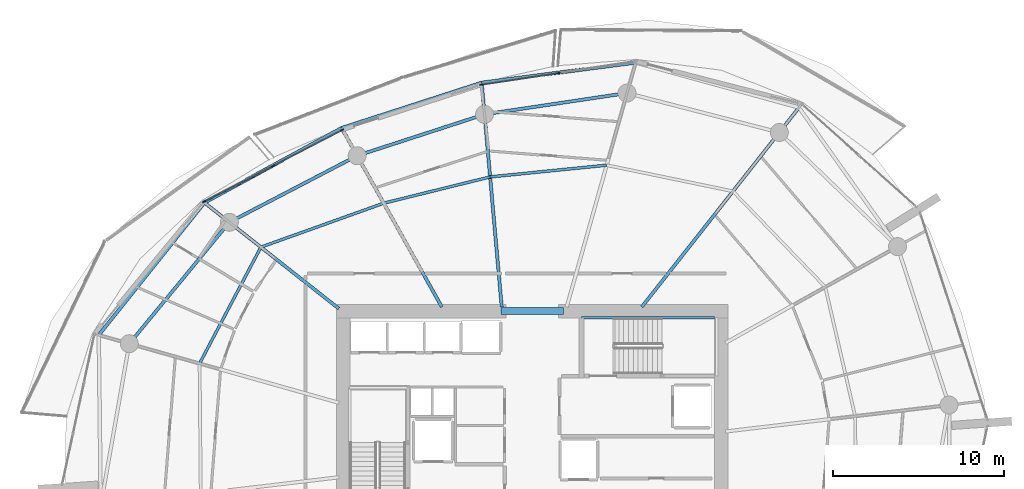
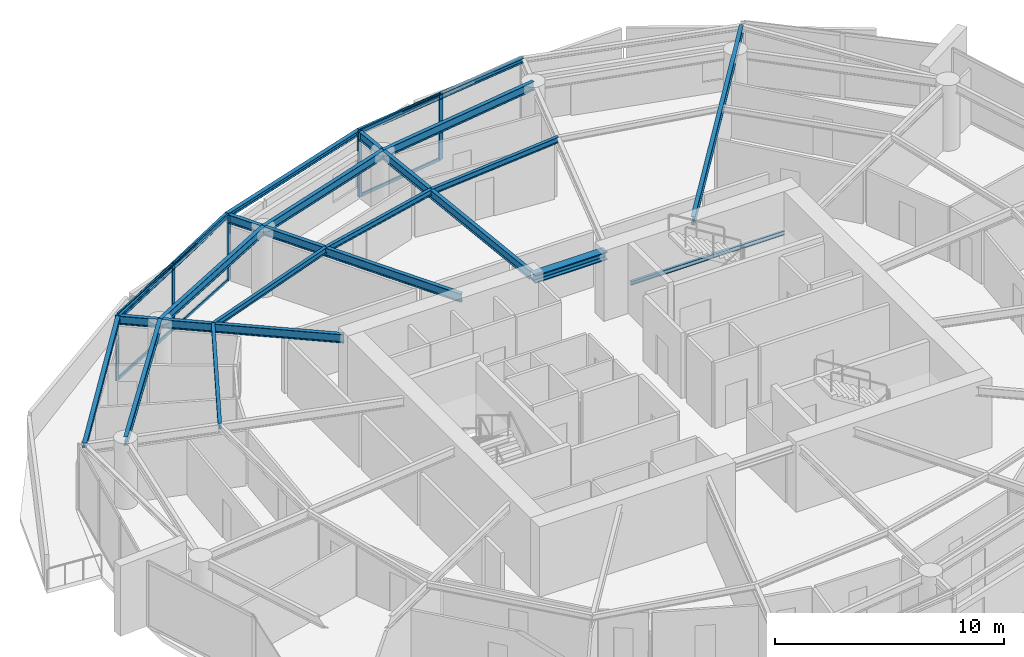
# One storey, part 8 of 20: 18 beams, 11 members, 2 elements without a shape of their own.
"""IFC4 building model written with IfcOpenShell, lengths in metres."""

from ifc_helpers import new_model, si_unit, direction, frame, origin, origin_2d, place, context, subcontext, project, spatial, rectangle, i_section, extrude, material, layer, layer_set, material_profile, profile_set, type_object, element, aggregate, save


model = new_model("IFC4")

# Units and contexts
model_context = context("Model", 3, precision=1e-05, world=origin(), true_north=direction((0.0, 1.0)))
body_context = subcontext(model_context, "Body", "Model", "MODEL_VIEW")
ifc_project = project(units=[si_unit("LENGTHUNIT", "METRE"), si_unit("AREAUNIT", "SQUARE_METRE"), si_unit("VOLUMEUNIT", "CUBIC_METRE"), si_unit("PLANEANGLEUNIT", "RADIAN"), si_unit("MASSUNIT", "GRAM", prefix="KILO")], contexts=[model_context])

# Site, building, storey
site_placement = place(None, origin())
site = spatial("IfcSite", under=ifc_project, at=site_placement, CompositionType="ELEMENT")
building_placement = place(site_placement, origin())
building = spatial("IfcBuilding", under=site, at=building_placement, Name="Kazma Halo Residences", CompositionType="ELEMENT")
storey_placement = place(building_placement, frame((0.0, 0.0, 165.300048828125)))
storey = spatial("IfcBuildingStorey", under=building, at=storey_placement, Name="L41", CompositionType="ELEMENT", Elevation=165.300048828125)

# Beams
ifc_material_1 = material(Name="Steel S355", Category="steel")
ifc_material_profile_1 = material_profile(ifc_material_1, i_section(OverallWidth=0.201904296875, OverallDepth=0.2470703125, WebThickness=0.00732421875, FlangeThickness=0.010986328125, FilletRadius=0.011962890625, at=origin_2d()), Name="W250x49.1")
ifc_profile_set_1 = profile_set([ifc_material_profile_1], Name="Steel S355")
beam_type_1 = type_object("IfcBeamType", Name="BM-BAL-CANT", PredefinedType="BEAM", material=ifc_profile_set_1)
beam_1_placement = place(storey_placement, frame((54.459228515625, 64.90234375, 3.37646484375), z_axis=(-0.991489228614, -0.130188745839, 0.0), x_axis=(0.130188745839, -0.991489228614, 0.0)))
element("IfcBeam", 1, at=beam_1_placement, inside=storey, type_object=beam_type_1, Name="L41 wave-balcony tie beam 03", PredefinedType="BEAM", context=body_context, shape_type="SweptSolid", body=[
    extrude(i_section(OverallWidth=0.201904296875, OverallDepth=0.2470703125, WebThickness=0.00732421875, FlangeThickness=0.010986328125, FilletRadius=0.011962890625, at=origin_2d()), origin(), (0.0, 0.0, 1.0), 9.053955078125),
])
beam_2_placement = place(storey_placement, frame((45.482421875, 63.7236328125, 3.37646484375), z_axis=(-0.951458235255, -0.307777885115, 0.0), x_axis=(0.307777885115, -0.951458235255, 0.0)))
element("IfcBeam", 2, at=beam_2_placement, inside=storey, type_object=beam_type_1, Name="L41 wave-balcony tie beam 04", PredefinedType="BEAM", context=body_context, shape_type="SweptSolid", body=[
    extrude(i_section(OverallWidth=0.201904296875, OverallDepth=0.2470703125, WebThickness=0.00732421875, FlangeThickness=0.010986328125, FilletRadius=0.011962890625, at=origin_2d()), origin(), (0.0, 0.0, 1.0), 8.585205078125),
])
beam_3_placement = place(storey_placement, frame((37.31396484375, 61.081298828125, 3.37646484375), z_axis=(-0.878572913315, -0.477608245312, 0.0), x_axis=(0.477608245312, -0.878572913315, 0.0)))
element("IfcBeam", 3, at=beam_3_placement, inside=storey, type_object=beam_type_1, Name="L41 wave-balcony tie beam 05", PredefinedType="BEAM", context=body_context, shape_type="SweptSolid", body=[
    extrude(i_section(OverallWidth=0.201904296875, OverallDepth=0.2470703125, WebThickness=0.00732421875, FlangeThickness=0.010986328125, FilletRadius=0.011962890625, at=origin_2d()), origin(), (0.0, 0.0, 1.0), 9.107177734375),
])
beam_4_placement = place(storey_placement, frame((29.312744140625, 56.731689453125, 3.37646484375), z_axis=(-0.623742400336, -0.781629975131, 0.0), x_axis=(0.781629975131, -0.623742400336, 0.0)))
element("IfcBeam", 4, at=beam_4_placement, inside=storey, type_object=beam_type_1, Name="L41 wave-balcony tie beam 06", PredefinedType="BEAM", context=body_context, shape_type="SweptSolid", body=[
    extrude(i_section(OverallWidth=0.201904296875, OverallDepth=0.2470703125, WebThickness=0.00732421875, FlangeThickness=0.010986328125, FilletRadius=0.011962890625, at=origin_2d()), origin(), (0.0, 0.0, 1.0), 9.880859375),
])
ifc_material_profile_2 = material_profile(ifc_material_1, i_section(OverallWidth=0.408935546875, OverallDepth=0.425048828125, WebThickness=0.03271484375, FlangeThickness=0.052490234375, FilletRadius=0.02001953125, at=origin_2d()), Name="W360x421")
ifc_profile_set_2 = profile_set([ifc_material_profile_2], Name="Steel S355")
beam_type_2 = type_object("IfcBeamType", Name="BM-CORE-W360H", PredefinedType="BEAM", material=ifc_profile_set_2)
beam_5_placement = place(storey_placement, frame((46.60009765625, 50.39990234375, 3.287353515625), z_axis=(1.0, 0.0, 0.0), x_axis=(0.0, 1.0, 0.0)))
element("IfcBeam", 5, at=beam_5_placement, inside=storey, type_object=beam_type_2, Name="L41 core coupling beam N", PredefinedType="BEAM", context=body_context, shape_type="SweptSolid", body=[
    extrude(i_section(OverallWidth=0.408935546875, OverallDepth=0.425048828125, WebThickness=0.03271484375, FlangeThickness=0.052490234375, FilletRadius=0.02001953125, at=origin_2d()), origin(), (0.0, 0.0, 1.0), 3.64990234375),
])
ifc_material_profile_3 = material_profile(ifc_material_1, i_section(OverallWidth=0.18994140625, OverallDepth=0.45703125, WebThickness=0.009033203125, FlangeThickness=0.014404296875, FilletRadius=0.01611328125, at=origin_2d()), Name="W460x74")
ifc_profile_set_3 = profile_set([ifc_material_profile_3], Name="Steel S355")
beam_type_3 = type_object("IfcBeamType", Name="BM-RAD-W460", PredefinedType="BEAM", material=ifc_profile_set_3)
beam_6_placement = place(storey_placement, frame((54.819091796875, 50.64990234375, 3.271484375), z_axis=(0.619094498239, 0.785316498139, 0.0), x_axis=(-0.785316498139, 0.619094498239, 0.0)))
element("IfcBeam", 6, at=beam_6_placement, inside=storey, type_object=beam_type_3, Name="L41 radial floor beam 02", PredefinedType="BEAM", context=body_context, shape_type="SweptSolid", body=[
    extrude(i_section(OverallWidth=0.18994140625, OverallDepth=0.45703125, WebThickness=0.009033203125, FlangeThickness=0.014404296875, FilletRadius=0.01611328125, at=origin_2d()), origin(), (0.0, 0.0, 1.0), 14.80517578125),
])
beam_7_placement = place(storey_placement, frame((46.64990234375, 50.64990234375, 3.271484375), z_axis=(-0.088945777727, 0.996036469525, 0.0), x_axis=(-0.996036469525, -0.088945777727, 0.0)))
element("IfcBeam", 7, at=beam_7_placement, inside=storey, type_object=beam_type_3, Name="L41 radial floor beam 04", PredefinedType="BEAM", context=body_context, shape_type="SweptSolid", body=[
    extrude(i_section(OverallWidth=0.18994140625, OverallDepth=0.45703125, WebThickness=0.009033203125, FlangeThickness=0.014404296875, FilletRadius=0.01611328125, at=origin_2d()), origin(), (0.0, 0.0, 1.0), 13.125732421875),
])
beam_8_placement = place(storey_placement, frame((43.15576171875, 50.64990234375, 3.271484375), z_axis=(-0.488617048735, 0.872498355119, 0.0), x_axis=(-0.872498355119, -0.488617048735, 0.0)))
element("IfcBeam", 8, at=beam_8_placement, inside=storey, type_object=beam_type_3, Name="L41 radial floor beam 05", PredefinedType="BEAM", context=body_context, shape_type="SweptSolid", body=[
    extrude(i_section(OverallWidth=0.18994140625, OverallDepth=0.45703125, WebThickness=0.009033203125, FlangeThickness=0.014404296875, FilletRadius=0.01611328125, at=origin_2d()), origin(), (0.0, 0.0, 1.0), 11.955810546875),
])
beam_9_placement = place(storey_placement, frame((37.14990234375, 50.553466796875, 3.271484375), z_axis=(-0.785321544409, 0.619088097032, 0.0), x_axis=(-0.619088097032, -0.785321544409, 0.0)))
element("IfcBeam", 9, at=beam_9_placement, inside=storey, type_object=beam_type_3, Name="L41 radial floor beam 06", PredefinedType="BEAM", context=body_context, shape_type="SweptSolid", body=[
    extrude(i_section(OverallWidth=0.18994140625, OverallDepth=0.45703125, WebThickness=0.009033203125, FlangeThickness=0.014404296875, FilletRadius=0.01611328125, at=origin_2d()), origin(), (0.0, 0.0, 1.0), 9.9794921875),
])
ifc_material_profile_4 = material_profile(ifc_material_1, i_section(OverallWidth=0.1650390625, OverallDepth=0.31005859375, WebThickness=0.005859375, FlangeThickness=0.009765625, FilletRadius=0.011962890625, at=origin_2d()), Name="W310x38.7")
ifc_profile_set_4 = profile_set([ifc_material_profile_4], Name="Steel S355")
beam_type_4 = type_object("IfcBeamType", Name="BM-SEC-W310B", PredefinedType="JOIST", material=ifc_profile_set_4)
beam_10_placement = place(storey_placement, frame((52.77099609375, 58.91650390625, 3.344970703125), z_axis=(-0.994979001613, -0.100083896557, 0.0), x_axis=(0.100083896557, -0.994979001613, 0.0)))
element("IfcBeam", 10, at=beam_10_placement, inside=storey, type_object=beam_type_4, Name="L41 circumferential floor joist 03", PredefinedType="JOIST", context=body_context, shape_type="SweptSolid", body=[
    extrude(i_section(OverallWidth=0.1650390625, OverallDepth=0.31005859375, WebThickness=0.005859375, FlangeThickness=0.009765625, FilletRadius=0.011962890625, at=origin_2d()), origin(), (0.0, 0.0, 1.0), 6.832763671875),
])
beam_11_placement = place(storey_placement, frame((45.97265625, 58.232666015625, 3.344970703125), z_axis=(-0.970830601663, -0.239766434004, 0.0), x_axis=(0.239766434004, -0.970830601663, 0.0)))
element("IfcBeam", 11, at=beam_11_placement, inside=storey, type_object=beam_type_4, Name="L41 circumferential floor joist 04", PredefinedType="JOIST", context=body_context, shape_type="SweptSolid", body=[
    extrude(i_section(OverallWidth=0.1650390625, OverallDepth=0.31005859375, WebThickness=0.005859375, FlangeThickness=0.009765625, FilletRadius=0.011962890625, at=origin_2d()), origin(), (0.0, 0.0, 1.0), 6.3916015625),
])
beam_12_placement = place(storey_placement, frame((39.767578125, 56.7001953125, 3.344970703125), z_axis=(-0.941534087973, -0.336917736525, 0.0), x_axis=(0.336917736525, -0.941534087973, 0.0)))
element("IfcBeam", 12, at=beam_12_placement, inside=storey, type_object=beam_type_4, Name="L41 circumferential floor joist 05", PredefinedType="JOIST", context=body_context, shape_type="SweptSolid", body=[
    extrude(i_section(OverallWidth=0.1650390625, OverallDepth=0.31005859375, WebThickness=0.005859375, FlangeThickness=0.009765625, FilletRadius=0.011962890625, at=origin_2d()), origin(), (0.0, 0.0, 1.0), 7.60791015625),
])
beam_13_placement = place(storey_placement, frame((32.6044921875, 54.136962890625, 3.344970703125), z_axis=(-0.466019257875, -0.884774576539, 0.0), x_axis=(0.884774576539, -0.466019257875, 0.0)))
element("IfcBeam", 13, at=beam_13_placement, inside=storey, type_object=beam_type_4, Name="L41 circumferential floor joist 06", PredefinedType="JOIST", context=body_context, shape_type="SweptSolid", body=[
    extrude(i_section(OverallWidth=0.1650390625, OverallDepth=0.31005859375, WebThickness=0.005859375, FlangeThickness=0.009765625, FilletRadius=0.011962890625, at=origin_2d()), origin(), (0.0, 0.0, 1.0), 7.670654296875),
])
ifc_material_profile_5 = material_profile(ifc_material_1, i_section(OverallWidth=0.18994140625, OverallDepth=0.45703125, WebThickness=0.009033203125, FlangeThickness=0.014404296875, FilletRadius=0.01611328125, at=origin_2d()), Name="W460x74")
ifc_profile_set_5 = profile_set([ifc_material_profile_5], Name="Steel S355")
beam_type_5 = type_object("IfcBeamType", Name="BM-SPN-W460", PredefinedType="BEAM", material=ifc_profile_set_5)
beam_14_placement = place(storey_placement, frame((53.95703125, 63.121826171875, 3.271484375), z_axis=(-0.989037147603, -0.147666924735, 0.0), x_axis=(0.147666924735, -0.989037147603, 0.0)))
element("IfcBeam", 14, at=beam_14_placement, inside=storey, type_object=beam_type_5, Name="L41 perimeter ring beam 03", PredefinedType="BEAM", context=body_context, shape_type="SweptSolid", body=[
    extrude(i_section(OverallWidth=0.18994140625, OverallDepth=0.45703125, WebThickness=0.009033203125, FlangeThickness=0.014404296875, FilletRadius=0.01611328125, at=origin_2d()), origin(), (0.0, 0.0, 1.0), 8.402099609375),
])
beam_15_placement = place(storey_placement, frame((45.64697265625, 61.881103515625, 3.271484375), z_axis=(-0.95105634578, -0.309017519167, 0.0), x_axis=(0.309017519167, -0.95105634578, 0.0)))
element("IfcBeam", 15, at=beam_15_placement, inside=storey, type_object=beam_type_5, Name="L41 perimeter ring beam 04", PredefinedType="BEAM", context=body_context, shape_type="SweptSolid", body=[
    extrude(i_section(OverallWidth=0.18994140625, OverallDepth=0.45703125, WebThickness=0.009033203125, FlangeThickness=0.014404296875, FilletRadius=0.01611328125, at=origin_2d()), origin(), (0.0, 0.0, 1.0), 7.811279296875),
])
beam_16_placement = place(storey_placement, frame((38.218017578125, 59.46728515625, 3.271484375), z_axis=(-0.886943099021, -0.461878706046, 0.0), x_axis=(0.461878706046, -0.886943099021, 0.0)))
element("IfcBeam", 16, at=beam_16_placement, inside=storey, type_object=beam_type_5, Name="L41 perimeter ring beam 05", PredefinedType="BEAM", context=body_context, shape_type="SweptSolid", body=[
    extrude(i_section(OverallWidth=0.18994140625, OverallDepth=0.45703125, WebThickness=0.009033203125, FlangeThickness=0.014404296875, FilletRadius=0.01611328125, at=origin_2d()), origin(), (0.0, 0.0, 1.0), 8.40234375),
])
beam_17_placement = place(storey_placement, frame((30.765625, 55.58642578125, 3.271484375), z_axis=(-0.636018723515, -0.771673624882, 0.0), x_axis=(0.771673624882, -0.636018723515, 0.0)))
element("IfcBeam", 17, at=beam_17_placement, inside=storey, type_object=beam_type_5, Name="L41 perimeter ring beam 06", PredefinedType="BEAM", context=body_context, shape_type="SweptSolid", body=[
    extrude(i_section(OverallWidth=0.18994140625, OverallDepth=0.45703125, WebThickness=0.009033203125, FlangeThickness=0.014404296875, FilletRadius=0.01611328125, at=origin_2d()), origin(), (0.0, 0.0, 1.0), 9.175048828125),
])
ifc_material_profile_6 = material_profile(ifc_material_1, i_section(OverallWidth=0.133056640625, OverallDepth=0.20703125, WebThickness=0.005859375, FlangeThickness=0.00830078125, FilletRadius=0.010009765625, at=origin_2d()), Name="W200x26.6")
ifc_profile_set_6 = profile_set([ifc_material_profile_6], Name="Steel S355")
beam_type_6 = type_object("IfcBeamType", Name="BM-TRIM-W200", PredefinedType="BEAM", material=ifc_profile_set_6)
beam_18_placement = place(storey_placement, frame((51.31005859375, 50.02001953125, 1.570068359375), z_axis=(1.0, 0.0, 0.0), x_axis=(0.0, 1.0, 0.0)))
element("IfcBeam", 18, at=beam_18_placement, inside=storey, type_object=beam_type_6, Name="L41 ST-02 landing north wall ledger", PredefinedType="BEAM", context=body_context, shape_type="SweptSolid", body=[
    extrude(i_section(OverallWidth=0.133056640625, OverallDepth=0.20703125, WebThickness=0.005859375, FlangeThickness=0.00830078125, FilletRadius=0.010009765625, at=origin_2d()), origin(), (0.0, 0.0, 1.0), 7.760009765625),
])

# Curtain wall, members
ifc_material_2 = material(Name="Aluminium AW-6063 T6 and Triple-Silver Low-E Glass", Category="aluminium")
ifc_layer = layer(ifc_material_2, 0.219970703125)
ifc_layer_set = layer_set([ifc_layer], Name="Aluminium AW-6063 T6 and Triple-Silver Low-E Glass")
curtain_wall_type = type_object("IfcCurtainWallType", Name="CW-SYS-4", PredefinedType="NOTDEFINED", material=ifc_layer_set)
curtain_wall_1_placement = place(storey_placement, origin())
curtain_wall_1 = element("IfcCurtainWall", 19, at=curtain_wall_1_placement, inside=storey, type_object=curtain_wall_type, Name="L41 unitised curtain wall B03", PredefinedType="NOTDEFINED")
ifc_material_3 = material(Name="Aluminium AW-6063 T6", Category="aluminium")
ifc_material_profile_7 = material_profile(ifc_material_3, rectangle(XDim=0.074951171875, YDim=0.219970703125, at=origin_2d()), Name="CWM-75x220")
ifc_profile_set_7 = profile_set([ifc_material_profile_7], Name="Aluminium AW-6063 T6")
member_type_1 = type_object("IfcMemberType", Name="CW-SYS-4-MUL", PredefinedType="MULLION", material=ifc_profile_set_7)
member_1_placement = place(storey_placement, frame((49.960205078125, 64.28857421875, 0.0), z_axis=(0.0, 0.0, 1.0), x_axis=(0.148821022686, -0.988864148004, 0.0)))
member_1 = element("IfcMember", 20, at=member_1_placement, type_object=member_type_1, Name="CWS-4 mullion 2", PredefinedType="MULLION", context=body_context, shape_type="SweptSolid", body=[
    extrude(rectangle(XDim=0.074951171875, YDim=0.219970703125, at=origin_2d()), origin(), (0.0, 0.0, 1.0), 3.5),
])
member_2_placement = place(storey_placement, frame((45.4794921875, 63.6142578125, 0.0), z_axis=(0.0, 0.0, 1.0), x_axis=(0.148821022686, -0.988864148004, 0.0)))
member_2 = element("IfcMember", 21, at=member_2_placement, type_object=member_type_1, Name="CWS-4 mullion 3", PredefinedType="MULLION", context=body_context, shape_type="SweptSolid", body=[
    extrude(rectangle(XDim=0.074951171875, YDim=0.219970703125, at=origin_2d()), origin(), (0.0, 0.0, 1.0), 3.5),
])

curtain_wall_2_placement = place(storey_placement, origin())
curtain_wall_2 = element("IfcCurtainWall", 22, at=curtain_wall_2_placement, inside=storey, type_object=curtain_wall_type, Name="L41 unitised curtain wall B05", PredefinedType="NOTDEFINED")
member_3_placement = place(storey_placement, frame((37.33447265625, 60.9677734375, 0.0), z_axis=(0.0, 0.0, 1.0), x_axis=(0.460837484552, -0.887484542306, 0.0)))
member_3 = element("IfcMember", 23, at=member_3_placement, type_object=member_type_1, Name="CWS-4 mullion 1", PredefinedType="MULLION", context=body_context, shape_type="SweptSolid", body=[
    extrude(rectangle(XDim=0.074951171875, YDim=0.219970703125, at=origin_2d()), origin(), (0.0, 0.0, 1.0), 3.5),
])
member_4_placement = place(storey_placement, frame((33.313232421875, 58.879638671875, 0.0), z_axis=(0.0, 0.0, 1.0), x_axis=(0.460837484552, -0.887484542306, 0.0)))
member_4 = element("IfcMember", 24, at=member_4_placement, type_object=member_type_1, Name="CWS-4 mullion 2", PredefinedType="MULLION", context=body_context, shape_type="SweptSolid", body=[
    extrude(rectangle(XDim=0.074951171875, YDim=0.219970703125, at=origin_2d()), origin(), (0.0, 0.0, 1.0), 3.5),
])
member_5_placement = place(storey_placement, frame((29.2919921875, 56.791748046875, 0.0), z_axis=(0.0, 0.0, 1.0), x_axis=(0.460837484552, -0.887484542306, 0.0)))
member_5 = element("IfcMember", 25, at=member_5_placement, type_object=member_type_1, Name="CWS-4 mullion 3", PredefinedType="MULLION", context=body_context, shape_type="SweptSolid", body=[
    extrude(rectangle(XDim=0.074951171875, YDim=0.219970703125, at=origin_2d()), origin(), (0.0, 0.0, 1.0), 3.5),
])

# Member
ifc_material_profile_8 = material_profile(ifc_material_3, rectangle(XDim=0.074951171875, YDim=0.1650390625, at=origin_2d()), Name="CWT-75x165")
ifc_profile_set_8 = profile_set([ifc_material_profile_8], Name="Aluminium AW-6063 T6")
member_type_2 = type_object("IfcMemberType", Name="CW-SYS-4-TRN", PredefinedType="USERDEFINED", material=ifc_profile_set_8)
member_6_placement = place(storey_placement, frame((49.923095703125, 64.282958984375, 0.037353515625), z_axis=(-0.988866721231, -0.148803923478, 0.0), x_axis=(0.148803923478, -0.988866721231, 0.0)))
member_6 = element("IfcMember", 26, at=member_6_placement, type_object=member_type_2, Name="CWS-4 transom 2.1", ObjectType="TRANSOM", PredefinedType="USERDEFINED", context=body_context, shape_type="SweptSolid", body=[
    extrude(rectangle(XDim=0.074951171875, YDim=0.1650390625, at=origin_2d()), origin(), (0.0, 0.0, 1.0), 4.4560546875),
])

member_7_placement = place(storey_placement, frame((49.923095703125, 64.282958984375, 3.46240234375), z_axis=(-0.988866721231, -0.148803923478, 0.0), x_axis=(0.148803923478, -0.988866721231, 0.0)))
member_7 = element("IfcMember", 27, at=member_7_placement, type_object=member_type_2, Name="CWS-4 transom 2.2", ObjectType="TRANSOM", PredefinedType="USERDEFINED", context=body_context, shape_type="SweptSolid", body=[
    extrude(rectangle(XDim=0.074951171875, YDim=0.1650390625, at=origin_2d()), origin(), (0.0, 0.0, 1.0), 4.4560546875),
])

aggregate(curtain_wall_1, [member_1, member_2, member_6, member_7])

member_8_placement = place(storey_placement, frame((37.30126953125, 60.950439453125, 0.037353515625), z_axis=(-0.887484872803, -0.460836848077, 0.0), x_axis=(0.460836848077, -0.887484872803, 0.0)))
member_8 = element("IfcMember", 28, at=member_8_placement, type_object=member_type_2, Name="CWS-4 transom 1.1", ObjectType="TRANSOM", PredefinedType="USERDEFINED", context=body_context, shape_type="SweptSolid", body=[
    extrude(rectangle(XDim=0.074951171875, YDim=0.1650390625, at=origin_2d()), origin(), (0.0, 0.0, 1.0), 4.4560546875),
])

member_9_placement = place(storey_placement, frame((37.30126953125, 60.950439453125, 3.46240234375), z_axis=(-0.887484872803, -0.460836848077, 0.0), x_axis=(0.460836848077, -0.887484872803, 0.0)))
member_9 = element("IfcMember", 29, at=member_9_placement, type_object=member_type_2, Name="CWS-4 transom 1.2", ObjectType="TRANSOM", PredefinedType="USERDEFINED", context=body_context, shape_type="SweptSolid", body=[
    extrude(rectangle(XDim=0.074951171875, YDim=0.1650390625, at=origin_2d()), origin(), (0.0, 0.0, 1.0), 4.4560546875),
])

member_10_placement = place(storey_placement, frame((33.280029296875, 58.862548828125, 0.037353515625), z_axis=(-0.887484872803, -0.460836848077, 0.0), x_axis=(0.460836848077, -0.887484872803, 0.0)))
member_10 = element("IfcMember", 30, at=member_10_placement, type_object=member_type_2, Name="CWS-4 transom 2.1", ObjectType="TRANSOM", PredefinedType="USERDEFINED", context=body_context, shape_type="SweptSolid", body=[
    extrude(rectangle(XDim=0.074951171875, YDim=0.1650390625, at=origin_2d()), origin(), (0.0, 0.0, 1.0), 4.4560546875),
])

member_11_placement = place(storey_placement, frame((33.280029296875, 58.862548828125, 3.46240234375), z_axis=(-0.887484872803, -0.460836848077, 0.0), x_axis=(0.460836848077, -0.887484872803, 0.0)))
member_11 = element("IfcMember", 31, at=member_11_placement, type_object=member_type_2, Name="CWS-4 transom 2.2", ObjectType="TRANSOM", PredefinedType="USERDEFINED", context=body_context, shape_type="SweptSolid", body=[
    extrude(rectangle(XDim=0.074951171875, YDim=0.1650390625, at=origin_2d()), origin(), (0.0, 0.0, 1.0), 4.4560546875),
])

aggregate(curtain_wall_2, [member_3, member_4, member_5, member_8, member_9, member_10, member_11])

save(model, "model.ifc")
